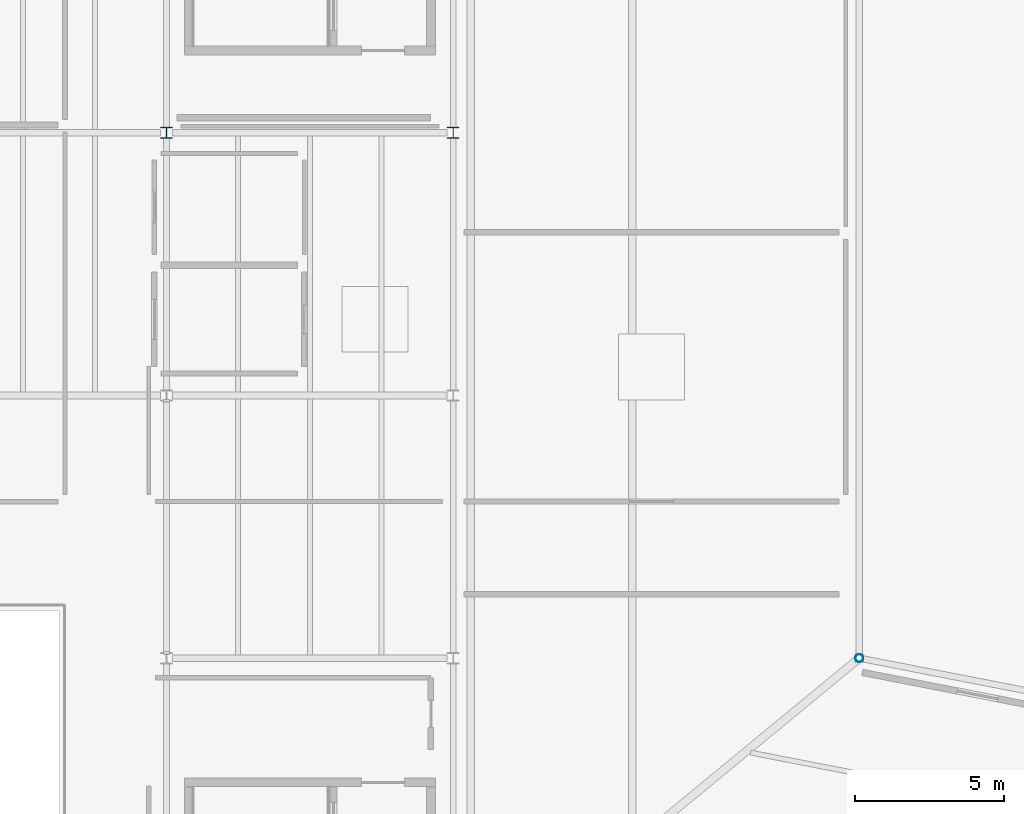
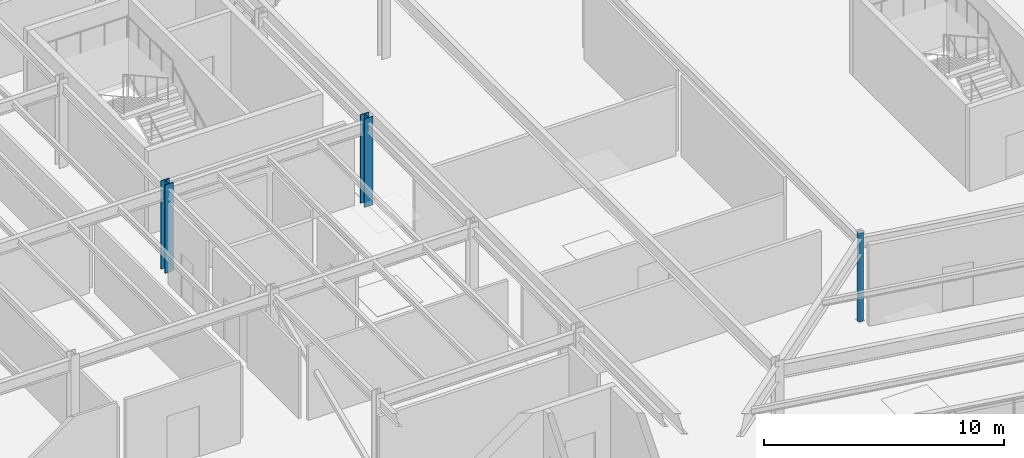
# One storey, part 11 of 77: 3 columns.
"""IFC4 building model written with IfcOpenShell, lengths in metres."""

from ifc_helpers import new_model, si_unit, direction, frame, origin, origin_2d, place, context, subcontext, project, spatial, hollow_circle, i_section, extrude, material, material_profile, profile_set, type_object, element, save


model = new_model("IFC4")

# Units and contexts
model_context = context("Model", 3, precision=1e-05, world=origin(), true_north=direction((0.0, 1.0)))
body_context = subcontext(model_context, "Body", "Model", "MODEL_VIEW")
ifc_project = project(units=[si_unit("LENGTHUNIT", "METRE"), si_unit("AREAUNIT", "SQUARE_METRE"), si_unit("VOLUMEUNIT", "CUBIC_METRE"), si_unit("PLANEANGLEUNIT", "RADIAN"), si_unit("MASSUNIT", "GRAM", prefix="KILO")], contexts=[model_context])

# Site, building, storey
site_placement = place(None, origin())
site = spatial("IfcSite", under=ifc_project, at=site_placement, CompositionType="ELEMENT")
building_placement = place(site_placement, origin())
building = spatial("IfcBuilding", under=site, at=building_placement, Name="Sarnbrook Museum", CompositionType="ELEMENT")
storey_placement = place(building_placement, frame((0.0, 0.0, 5.60009765625)))
storey = spatial("IfcBuildingStorey", under=building, at=storey_placement, Name="L01", CompositionType="ELEMENT", Elevation=5.60009765625)

# Columns
ifc_material_1 = material(Name="Structural Steel Hollow Section Grade C350L0 (AS/NZS 1163, fy = 350 MPa)", Category="steel")
ifc_material_profile_1 = material_profile(ifc_material_1, hollow_circle(Radius=0.136474609375, WallThickness=0.00927734375, at=origin_2d()), Name="273.1x9.3CHS")
ifc_profile_set_1 = profile_set([ifc_material_profile_1], Name="Structural Steel Hollow Section Grade C350L0 (AS/NZS 1163, fy = 350 MPa)")
column_type_1 = type_object("IfcColumnType", Name="COL-CHS273", PredefinedType="COLUMN", material=ifc_profile_set_1)
column_placement = place(storey_placement, frame((132.800048828125, 74.405029296875, 0.0), z_axis=(0.0, 0.0, 1.0), x_axis=(1.0, 0.0, 0.0)))
element("IfcColumn", 1, at=column_placement, inside=storey, type_object=column_type_1, Name="Crystal Gallery Feature Column R2-1 L01", PredefinedType="COLUMN", context=body_context, shape_type="SweptSolid", body=[
    extrude(hollow_circle(Radius=0.136474609375, WallThickness=0.00927734375, at=origin_2d()), origin(), (0.0, 0.0, 1.0), 4.5),
])
ifc_material_2 = material(Name="Structural Steel Grade 350L0 (AS/NZS 3678, fy = 340 MPa for 20 < t <= 40 mm)", Category="steel")
ifc_material_profile_2 = material_profile(ifc_material_2, i_section(OverallWidth=0.39990234375, OverallDepth=0.382080078125, WebThickness=0.02490234375, FlangeThickness=0.035888671875, at=origin_2d()), Name="400WC270")
ifc_profile_set_2 = profile_set([ifc_material_profile_2], Name="Structural Steel Grade 350L0 (AS/NZS 3678, fy = 340 MPa for 20 < t <= 40 mm)")
column_type_2 = type_object("IfcColumnType", Name="COL-WC400", PredefinedType="COLUMN", material=ifc_profile_set_2)
for number, where, z_axis, x_axis, name in (
    (2, (109.60009765625, 92.0, 0.0), (0.0, 0.0, 1.0), (1.0, 0.0, 0.0), "Column 12-L L01"),
    (3, (119.199951171875, 92.0, 0.0), (0.0, 0.0, 1.0), (1.0, 0.0, 0.0), "Column 13-L L01"),
):
    element("IfcColumn", number, at=place(storey_placement, frame(where, z_axis=z_axis, x_axis=x_axis)), inside=storey, type_object=column_type_2, Name=name, PredefinedType="COLUMN", context=body_context, shape_type="SweptSolid", body=[
        extrude(i_section(OverallWidth=0.39990234375, OverallDepth=0.382080078125, WebThickness=0.02490234375, FlangeThickness=0.035888671875, at=origin_2d()), origin(), (0.0, 0.0, 1.0), 4.5),
    ])

save(model, "model.ifc")
